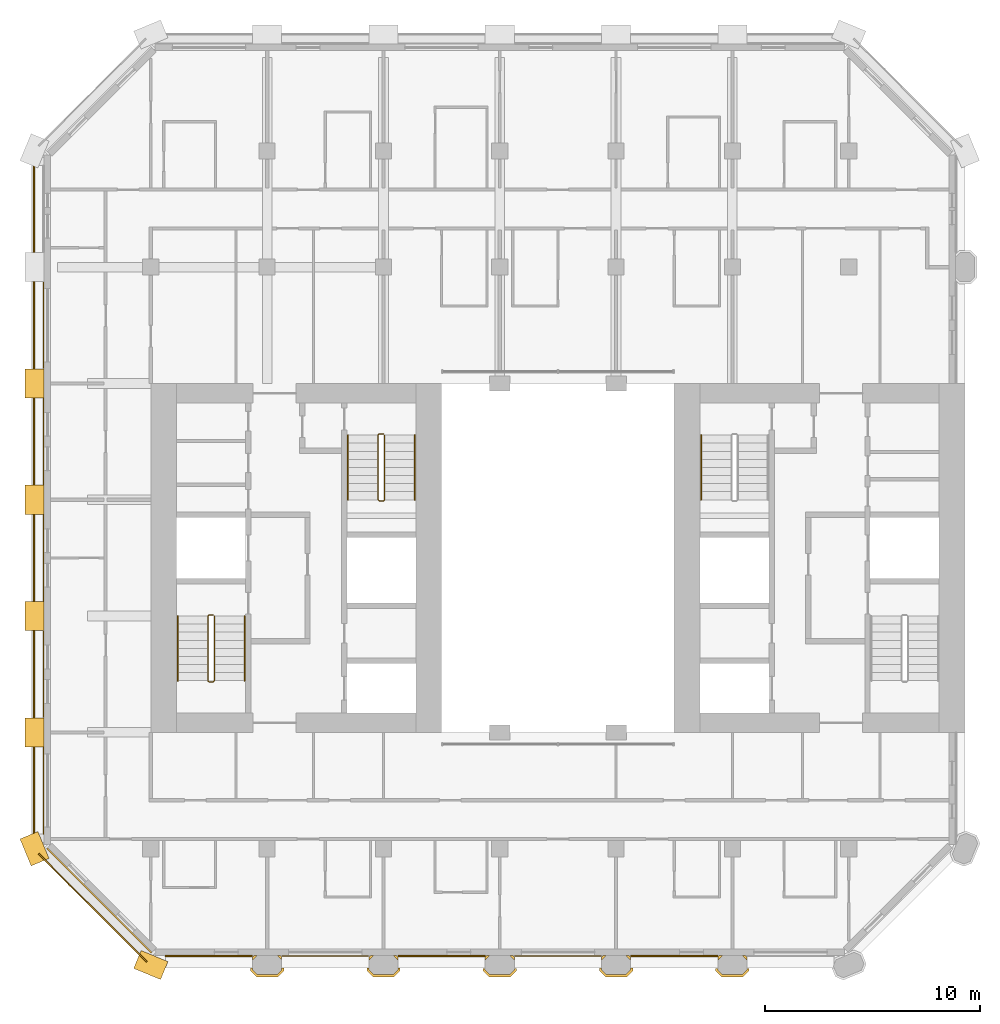
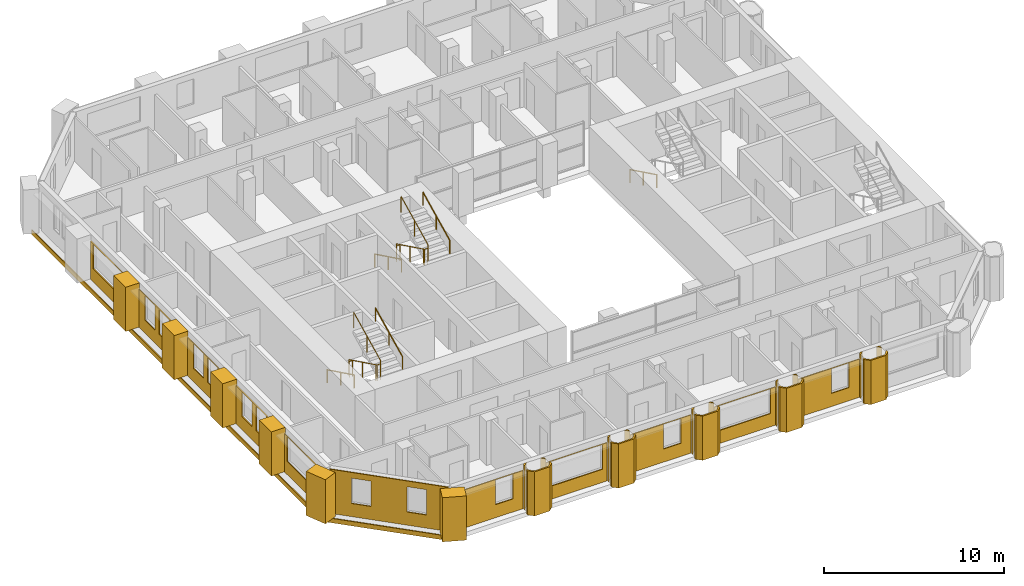
# One storey, part 13 of 14: 34 coverings, 7 railings.
"""IFC4 building model written with IfcOpenShell, lengths in metres."""

from ifc_helpers import new_model, si_unit, direction, frame, frame_2d, origin, origin_2d, place, context, subcontext, project, spatial, polyline, rectangle, circle, outline, extrude, material, layer, layer_set, type_object, element, save


model = new_model("IFC4")

# Units and contexts
model_context = context("Model", 3, precision=1e-05, world=origin(), true_north=direction((0.0, 1.0)))
body_context = subcontext(model_context, "Body", "Model", "MODEL_VIEW")
ifc_project = project(units=[si_unit("LENGTHUNIT", "METRE"), si_unit("AREAUNIT", "SQUARE_METRE"), si_unit("VOLUMEUNIT", "CUBIC_METRE"), si_unit("PLANEANGLEUNIT", "RADIAN"), si_unit("MASSUNIT", "GRAM", prefix="KILO")], contexts=[model_context])

# Site, building, storey
site_placement = place(None, origin())
site = spatial("IfcSite", under=ifc_project, at=site_placement, CompositionType="ELEMENT")
building_placement = place(site_placement, origin())
building = spatial("IfcBuilding", under=site, at=building_placement, Name="Tabaq Tower and Sports Hall", CompositionType="ELEMENT")
storey_placement = place(building_placement, frame((0.0, 0.0, 217.0)))
storey = spatial("IfcBuildingStorey", under=building, at=storey_placement, Name="L54", CompositionType="ELEMENT", Elevation=217.0)

# Coverings
ifc_material_1 = material(Name="Precast concrete C60/75", Category="concrete")
ifc_layer_1 = layer(ifc_material_1, 0.10009765625)
ifc_layer_set_1 = layer_set([ifc_layer_1], Name="Column cladding 100")
covering_type_1 = type_object("IfcCoveringType", Name="Column cladding 100", PredefinedType="CLADDING", material=ifc_layer_set_1)
covering_1_placement = place(storey_placement, origin())
element("IfcCovering", 1, at=covering_1_placement, inside=storey, type_object=covering_type_1, Name="Column cladding L54 PC-3B-H3", PredefinedType="CLADDING", context=body_context, shape_type="SweptSolid", body=[
    extrude(outline(polyline([(10.025390625, 5.249755859375), (10.124755859375, 5.249755859375), (10.124755859375, 5.1748046875), (10.349853515625, 4.94970703125), (11.250244140625, 4.94970703125), (11.475341796875, 5.1748046875), (11.475341796875, 5.249755859375), (11.57470703125, 5.249755859375), (11.57470703125, 5.1337890625), (11.291259765625, 4.850341796875), (10.30859375, 4.850341796875), (10.025390625, 5.1337890625), (10.025390625, 5.249755859375)])), origin(), (0.0, 0.0, 1.0), 3.0),
])
covering_2_placement = place(storey_placement, origin())
element("IfcCovering", 2, at=covering_2_placement, inside=storey, type_object=covering_type_1, Name="Column cladding L54 PC-3B-H3 2", PredefinedType="CLADDING", context=body_context, shape_type="SweptSolid", body=[
    extrude(outline(polyline([(10.208740234375, 5.849609375), (10.349365234375, 5.849609375), (10.125244140625, 5.625732421875), (10.125244140625, 5.766357421875), (10.208740234375, 5.849609375)])), origin(), (0.0, 0.0, 1.0), 3.0),
])
covering_3_placement = place(storey_placement, origin())
element("IfcCovering", 3, at=covering_3_placement, inside=storey, type_object=covering_type_1, Name="Column cladding L54 PC-3B-H3 3", PredefinedType="CLADDING", context=body_context, shape_type="SweptSolid", body=[
    extrude(outline(polyline([(11.474609375, 5.766357421875), (11.474609375, 5.625732421875), (11.250732421875, 5.849609375), (11.391357421875, 5.849609375), (11.474609375, 5.766357421875)])), origin(), (0.0, 0.0, 1.0), 3.0),
])
covering_4_placement = place(storey_placement, origin())
element("IfcCovering", 4, at=covering_4_placement, inside=storey, type_object=covering_type_1, Name="Column cladding L54 PC-4B-H3", PredefinedType="CLADDING", context=body_context, shape_type="SweptSolid", body=[
    extrude(outline(polyline([(15.42529296875, 5.249755859375), (15.524658203125, 5.249755859375), (15.524658203125, 5.1748046875), (15.749755859375, 4.94970703125), (16.650146484375, 4.94970703125), (16.875244140625, 5.1748046875), (16.875244140625, 5.249755859375), (16.974609375, 5.249755859375), (16.974609375, 5.1337890625), (16.69140625, 4.850341796875), (15.708740234375, 4.850341796875), (15.42529296875, 5.1337890625), (15.42529296875, 5.249755859375)])), origin(), (0.0, 0.0, 1.0), 3.0),
])
covering_5_placement = place(storey_placement, origin())
element("IfcCovering", 5, at=covering_5_placement, inside=storey, type_object=covering_type_1, Name="Column cladding L54 PC-4B-H3 2", PredefinedType="CLADDING", context=body_context, shape_type="SweptSolid", body=[
    extrude(outline(polyline([(16.874755859375, 5.766357421875), (16.874755859375, 5.625732421875), (16.650634765625, 5.849609375), (16.791259765625, 5.849609375), (16.874755859375, 5.766357421875)])), origin(), (0.0, 0.0, 1.0), 3.0),
])
covering_6_placement = place(storey_placement, origin())
element("IfcCovering", 6, at=covering_6_placement, inside=storey, type_object=covering_type_1, Name="Column cladding L54 PC-4B-H3 3", PredefinedType="CLADDING", context=body_context, shape_type="SweptSolid", body=[
    extrude(outline(polyline([(15.608642578125, 5.849609375), (15.749267578125, 5.849609375), (15.525390625, 5.625732421875), (15.525390625, 5.766357421875), (15.608642578125, 5.849609375)])), origin(), (0.0, 0.0, 1.0), 3.0),
])
covering_7_placement = place(storey_placement, origin())
element("IfcCovering", 7, at=covering_7_placement, inside=storey, type_object=covering_type_1, Name="Column cladding L54 PC-5B-H3", PredefinedType="CLADDING", context=body_context, shape_type="SweptSolid", body=[
    extrude(outline(polyline([(20.82568359375, 5.24951171875), (20.92431640625, 5.24951171875), (20.92431640625, 5.1748046875), (21.149658203125, 4.949462890625), (22.05029296875, 4.949462890625), (22.275634765625, 5.1748046875), (22.275634765625, 5.24951171875), (22.37451171875, 5.24951171875), (22.37451171875, 5.1337890625), (22.091064453125, 4.8505859375), (21.10888671875, 4.8505859375), (20.82568359375, 5.1337890625), (20.82568359375, 5.24951171875)])), origin(), (0.0, 0.0, 1.0), 3.0),
])
covering_8_placement = place(storey_placement, origin())
element("IfcCovering", 8, at=covering_8_placement, inside=storey, type_object=covering_type_1, Name="Column cladding L54 PC-5B-H3 2", PredefinedType="CLADDING", context=body_context, shape_type="SweptSolid", body=[
    extrude(outline(polyline([(22.274658203125, 5.766357421875), (22.274658203125, 5.625732421875), (22.05078125, 5.849609375), (22.19140625, 5.849609375), (22.274658203125, 5.766357421875)])), origin(), (0.0, 0.0, 1.0), 3.0),
])
covering_9_placement = place(storey_placement, origin())
element("IfcCovering", 9, at=covering_9_placement, inside=storey, type_object=covering_type_1, Name="Column cladding L54 PC-5B-H3 3", PredefinedType="CLADDING", context=body_context, shape_type="SweptSolid", body=[
    extrude(outline(polyline([(20.925537109375, 5.62646484375), (20.925537109375, 5.76611328125), (21.0087890625, 5.849365234375), (21.1484375, 5.849365234375), (20.925537109375, 5.62646484375)])), origin(), (0.0, 0.0, 1.0), 3.0),
])
covering_10_placement = place(storey_placement, origin())
element("IfcCovering", 10, at=covering_10_placement, inside=storey, type_object=covering_type_1, Name="Column cladding L54 PC-6B-H3", PredefinedType="CLADDING", context=body_context, shape_type="SweptSolid", body=[
    extrude(outline(polyline([(26.225341796875, 5.249755859375), (26.32470703125, 5.249755859375), (26.32470703125, 5.1748046875), (26.5498046875, 4.94970703125), (27.4501953125, 4.94970703125), (27.67529296875, 5.1748046875), (27.67529296875, 5.249755859375), (27.774658203125, 5.249755859375), (27.774658203125, 5.1337890625), (27.4912109375, 4.850341796875), (26.5087890625, 4.850341796875), (26.225341796875, 5.1337890625), (26.225341796875, 5.249755859375)])), origin(), (0.0, 0.0, 1.0), 3.0),
])
covering_11_placement = place(storey_placement, origin())
element("IfcCovering", 11, at=covering_11_placement, inside=storey, type_object=covering_type_1, Name="Column cladding L54 PC-6B-H3 2", PredefinedType="CLADDING", context=body_context, shape_type="SweptSolid", body=[
    extrude(outline(polyline([(26.40869140625, 5.849609375), (26.54931640625, 5.849609375), (26.3251953125, 5.625732421875), (26.3251953125, 5.766357421875), (26.40869140625, 5.849609375)])), origin(), (0.0, 0.0, 1.0), 3.0),
])
covering_12_placement = place(storey_placement, origin())
element("IfcCovering", 12, at=covering_12_placement, inside=storey, type_object=covering_type_1, Name="Column cladding L54 PC-6B-H3 3", PredefinedType="CLADDING", context=body_context, shape_type="SweptSolid", body=[
    extrude(outline(polyline([(27.6748046875, 5.766357421875), (27.6748046875, 5.625732421875), (27.45068359375, 5.849609375), (27.59130859375, 5.849609375), (27.6748046875, 5.766357421875)])), origin(), (0.0, 0.0, 1.0), 3.0),
])
covering_13_placement = place(storey_placement, origin())
element("IfcCovering", 13, at=covering_13_placement, inside=storey, type_object=covering_type_1, Name="Column cladding L54 PC-7B-H3", PredefinedType="CLADDING", context=body_context, shape_type="SweptSolid", body=[
    extrude(outline(polyline([(31.62548828125, 5.24951171875), (31.724365234375, 5.24951171875), (31.724365234375, 5.1748046875), (31.94970703125, 4.949462890625), (32.850341796875, 4.949462890625), (33.07568359375, 5.1748046875), (33.07568359375, 5.24951171875), (33.17431640625, 5.24951171875), (33.17431640625, 5.1337890625), (32.89111328125, 4.8505859375), (31.908935546875, 4.8505859375), (31.62548828125, 5.1337890625), (31.62548828125, 5.24951171875)])), origin(), (0.0, 0.0, 1.0), 3.0),
])
covering_14_placement = place(storey_placement, origin())
element("IfcCovering", 14, at=covering_14_placement, inside=storey, type_object=covering_type_1, Name="Column cladding L54 PC-7B-H3 2", PredefinedType="CLADDING", context=body_context, shape_type="SweptSolid", body=[
    extrude(outline(polyline([(31.80859375, 5.849609375), (31.94921875, 5.849609375), (31.725341796875, 5.625732421875), (31.725341796875, 5.766357421875), (31.80859375, 5.849609375)])), origin(), (0.0, 0.0, 1.0), 3.0),
])
covering_15_placement = place(storey_placement, origin())
element("IfcCovering", 15, at=covering_15_placement, inside=storey, type_object=covering_type_1, Name="Column cladding L54 PC-7B-H3 3", PredefinedType="CLADDING", context=body_context, shape_type="SweptSolid", body=[
    extrude(outline(polyline([(33.074462890625, 5.62646484375), (32.8515625, 5.849365234375), (32.9912109375, 5.849365234375), (33.074462890625, 5.76611328125), (33.074462890625, 5.62646484375)])), origin(), (0.0, 0.0, 1.0), 3.0),
])
ifc_material_2 = material(Name="Precast concrete C60/75", Category="concrete")
ifc_layer_2 = layer(ifc_material_2, 0.06005859375)
ifc_layer_set_2 = layer_set([ifc_layer_2], Name="Edge beam cladding 60")
covering_type_2 = type_object("IfcCoveringType", Name="Edge beam cladding 60", PredefinedType="CLADDING", material=ifc_layer_set_2)
covering_16_placement = place(storey_placement, frame((-0.030029296875, 42.9013671875, -0.300048828125), z_axis=(0.0, 0.0, 1.0), x_axis=(0.0, -1.0, 0.0)))
element("IfcCovering", 16, at=covering_16_placement, inside=storey, type_object=covering_type_2, Name="Edge beam cladding L54 4", PredefinedType="CLADDING", context=body_context, shape_type="SweptSolid", body=[
    extrude(rectangle(XDim=31.802734375, YDim=0.06005859375, at=frame_2d((15.9013671875, 0.0))), origin(), (0.0, 0.0, 1.0), 0.300048828125),
])
covering_17_placement = place(storey_placement, frame((0.18994140625, 10.567626953125, -0.300048828125), z_axis=(0.0, 0.0, 1.0), x_axis=(0.707106781187, -0.707106781187, 0.0)))
element("IfcCovering", 17, at=covering_17_placement, inside=storey, type_object=covering_type_2, Name="Edge beam cladding L54 5", PredefinedType="CLADDING", context=body_context, shape_type="SweptSolid", body=[
    extrude(rectangle(XDim=7.087890625, YDim=0.06005859375, at=frame_2d((3.5439453125, 0.0))), origin(), (0.0, 0.0, 1.0), 0.300048828125),
])
ifc_material_3 = material(Name="White precast concrete C60/75", Category="concrete")
covering_type_3 = type_object("IfcCoveringType", Name="Pier cladding hung 1350x900", PredefinedType="CLADDING", material=ifc_material_3)
for number, where, z_axis, x_axis, name in (
    (18, (-0.25830078125, 11.423583984375, 0.0), (0.0, 0.0, 1.0), (0.382649923473, -0.923893411637, 0.0), "Hung pier cladding 0/2"),
    (19, (0.0, 16.875, 0.0), (0.0, 0.0, 1.0), (0.0, -1.0, 0.0), "Hung pier cladding 0/3"),
):
    element("IfcCovering", number, at=place(storey_placement, frame(where, z_axis=z_axis, x_axis=x_axis)), inside=storey, type_object=covering_type_3, Name=name, PredefinedType="CLADDING", context=body_context, shape_type="SweptSolid", body=[
        extrude(rectangle(XDim=1.35009765625, YDim=0.89990234375, at=frame_2d((0.675048828125, 0.0))), origin(), (0.0, 0.0, 1.0), 3.0),
    ])
covering_18_placement = place(storey_placement, frame((0.0, 22.27490234375, 0.0), z_axis=(0.0, 0.0, 1.0), x_axis=(0.0, -1.0, 0.0)))
element("IfcCovering", 20, at=covering_18_placement, inside=storey, type_object=covering_type_3, Name="Hung pier cladding 0/4", PredefinedType="CLADDING", context=body_context, shape_type="SweptSolid", body=[
    extrude(rectangle(XDim=1.349853515625, YDim=0.89990234375, at=frame_2d((0.6748046875, 0.0))), origin(), (0.0, 0.0, 1.0), 3.0),
])
covering_19_placement = place(storey_placement, frame((0.0, 27.675048828125, 0.0), z_axis=(0.0, 0.0, 1.0), x_axis=(0.0, -1.0, 0.0)))
element("IfcCovering", 21, at=covering_19_placement, inside=storey, type_object=covering_type_3, Name="Hung pier cladding 0/5", PredefinedType="CLADDING", context=body_context, shape_type="SweptSolid", body=[
    extrude(rectangle(XDim=1.35009765625, YDim=0.89990234375, at=frame_2d((0.675048828125, 0.0))), origin(), (0.0, 0.0, 1.0), 3.0),
])
covering_20_placement = place(storey_placement, frame((0.0, 33.074951171875, 0.0), z_axis=(0.0, 0.0, 1.0), x_axis=(0.0, -1.0, 0.0)))
element("IfcCovering", 22, at=covering_20_placement, inside=storey, type_object=covering_type_3, Name="Hung pier cladding 0/6", PredefinedType="CLADDING", context=body_context, shape_type="SweptSolid", body=[
    extrude(rectangle(XDim=1.349853515625, YDim=0.89990234375, at=frame_2d((0.6748046875, 0.0))), origin(), (0.0, 0.0, 1.0), 3.0),
])
covering_21_placement = place(storey_placement, frame((4.7763671875, 5.658203125, 0.0), z_axis=(0.0, 0.0, 1.0), x_axis=(0.923893411637, -0.382649923473, 0.0)))
element("IfcCovering", 23, at=covering_21_placement, inside=storey, type_object=covering_type_3, Name="Hung pier cladding 1/1", PredefinedType="CLADDING", context=body_context, shape_type="SweptSolid", body=[
    extrude(rectangle(XDim=1.35009765625, YDim=0.89990234375, at=frame_2d((0.675048828125, 0.0))), origin(), (0.0, 0.0, 1.0), 3.0),
])

# Railings
ifc_material_4 = material(Name="Stainless steel", Category="steel")
railing_type_1 = type_object("IfcRailingType", Name="Stair guard", PredefinedType="GUARDRAIL", material=ifc_material_4)
railing_1_placement = place(storey_placement, frame((8.300048828125, 21.64990234375, 0.0)))
element("IfcRailing", 24, at=railing_1_placement, inside=storey, type_object=railing_type_1, Name="L54 ST1 stair guard 1", PredefinedType="GUARDRAIL", context=body_context, shape_type="SweptSolid", body=[
    extrude(circle(Radius=0.02392578125, at=origin_2d()), frame((0.0, 0.0, 1.076171875), z_axis=(-1.0, 0.0, 0.0), x_axis=(0.0, -1.0, 0.0)), (0.0, 0.0, 1.0), 0.199951171875),
    extrude(circle(Radius=0.02392578125, at=origin_2d()), frame((-0.199951171875, 0.0, 1.076171875), z_axis=(-0.254733673405, -0.25349107012, 0.933195066962), x_axis=(0.705375805398, -0.708833529934, 0.0)), (0.0, 0.0, 1.0), 0.196533203125),
    extrude(circle(Radius=0.02392578125, at=origin_2d()), frame((-0.25, -0.0498046875, 1.25927734375), z_axis=(0.0, -0.898397823093, 0.439182594671), x_axis=(1.0, 0.0, 0.0)), (0.0, 0.0, 1.0), 3.33935546875),
    extrude(circle(Radius=0.02392578125, at=origin_2d()), frame((-0.25, -3.0498046875, 2.72607421875), z_axis=(0.707106781187, -0.707106781187, 0.0), x_axis=(0.707106781187, 0.707106781187, 0.0)), (0.0, 0.0, 1.0), 0.07080078125),
    extrude(circle(Radius=0.02392578125, at=origin_2d()), frame((-0.199951171875, -3.099853515625, 2.72607421875), z_axis=(1.0, 0.0, 0.0), x_axis=(0.0, 1.0, 0.0)), (0.0, 0.0, 1.0), 0.199951171875),
    extrude(circle(Radius=0.02392578125, at=origin_2d()), frame((0.0, -3.099853515625, 2.72607421875), z_axis=(0.254653276557, 0.254653276557, 0.932900539971), x_axis=(-0.707106781187, 0.707106781187, 0.0)), (0.0, 0.0, 1.0), 0.196533203125),
    extrude(circle(Radius=0.02392578125, at=origin_2d()), frame((0.050048828125, -3.0498046875, 2.9091796875), z_axis=(0.0, 0.898368975038, 0.439241601728), x_axis=(-1.0, 0.0, 0.0)), (0.0, 0.0, 1.0), 3.33935546875),
    extrude(circle(Radius=0.02099609375, at=origin_2d()), origin(), (0.0, 0.0, 1.0), 1.052001953125),
    extrude(circle(Radius=0.02099609375, at=origin_2d()), frame((-0.199951171875, 0.0, 0.0)), (0.0, 0.0, 1.0), 1.052001953125),
    extrude(circle(Radius=0.02099609375, at=origin_2d()), frame((-0.25, -0.0498046875, 0.183349609375)), (0.0, 0.0, 1.0), 1.052001953125),
    extrude(circle(Radius=0.02099609375, at=origin_2d()), frame((-0.25, -1.5498046875, 0.91650390625)), (0.0, 0.0, 1.0), 1.052001953125),
    extrude(circle(Radius=0.02099609375, at=origin_2d()), frame((-0.25, -3.0498046875, 1.64990234375)), (0.0, 0.0, 1.0), 1.052001953125),
    extrude(circle(Radius=0.02099609375, at=origin_2d()), frame((-0.199951171875, -3.099853515625, 1.64990234375)), (0.0, 0.0, 1.0), 1.052001953125),
    extrude(circle(Radius=0.02099609375, at=origin_2d()), frame((0.0, -3.099853515625, 1.64990234375)), (0.0, 0.0, 1.0), 1.052001953125),
    extrude(circle(Radius=0.02099609375, at=origin_2d()), frame((0.050048828125, -3.0498046875, 1.833251953125)), (0.0, 0.0, 1.0), 1.052001953125),
    extrude(circle(Radius=0.02099609375, at=origin_2d()), frame((0.050048828125, -1.5498046875, 2.566650390625)), (0.0, 0.0, 1.0), 1.052001953125),
    extrude(circle(Radius=0.02099609375, at=origin_2d()), frame((0.050048828125, -0.0498046875, 3.300048828125)), (0.0, 0.0, 1.0), 1.052001953125),
])
railing_2_placement = place(storey_placement, frame((16.199951171875, 30.050048828125, 0.0)))
element("IfcRailing", 25, at=railing_2_placement, inside=storey, type_object=railing_type_1, Name="L54 ST2 stair guard 1", PredefinedType="GUARDRAIL", context=body_context, shape_type="SweptSolid", body=[
    extrude(circle(Radius=0.02392578125, at=origin_2d()), frame((0.0, 0.0, 1.076171875), z_axis=(-1.0, 0.0, 0.0), x_axis=(0.0, -1.0, 0.0)), (0.0, 0.0, 1.0), 0.199951171875),
    extrude(circle(Radius=0.02392578125, at=origin_2d()), frame((-0.199951171875, 0.0, 1.076171875), z_axis=(-0.254653276557, -0.254653276557, 0.932900539971), x_axis=(0.707106781187, -0.707106781187, 0.0)), (0.0, 0.0, 1.0), 0.196533203125),
    extrude(circle(Radius=0.02392578125, at=origin_2d()), frame((-0.25, -0.050048828125, 1.25927734375), z_axis=(0.0, -0.898397823093, 0.439182594671), x_axis=(1.0, 0.0, 0.0)), (0.0, 0.0, 1.0), 3.33935546875),
    extrude(circle(Radius=0.02392578125, at=origin_2d()), frame((-0.25, -3.050048828125, 2.72607421875), z_axis=(0.707106781187, -0.707106781187, 0.0), x_axis=(0.707106781187, 0.707106781187, 0.0)), (0.0, 0.0, 1.0), 0.07080078125),
    extrude(circle(Radius=0.02392578125, at=origin_2d()), frame((-0.199951171875, -3.10009765625, 2.72607421875), z_axis=(1.0, 0.0, 0.0), x_axis=(0.0, 1.0, 0.0)), (0.0, 0.0, 1.0), 0.199951171875),
    extrude(circle(Radius=0.02392578125, at=origin_2d()), frame((0.0, -3.10009765625, 2.72607421875), z_axis=(0.254653276557, 0.254653276557, 0.932900539971), x_axis=(-0.707106781187, 0.707106781187, 0.0)), (0.0, 0.0, 1.0), 0.196533203125),
    extrude(circle(Radius=0.02392578125, at=origin_2d()), frame((0.050048828125, -3.050048828125, 2.9091796875), z_axis=(0.0, 0.898368975038, 0.439241601728), x_axis=(-1.0, 0.0, 0.0)), (0.0, 0.0, 1.0), 3.33935546875),
    extrude(circle(Radius=0.02099609375, at=origin_2d()), origin(), (0.0, 0.0, 1.0), 1.052001953125),
    extrude(circle(Radius=0.02099609375, at=origin_2d()), frame((-0.199951171875, 0.0, 0.0)), (0.0, 0.0, 1.0), 1.052001953125),
    extrude(circle(Radius=0.02099609375, at=origin_2d()), frame((-0.25, -0.050048828125, 0.183349609375)), (0.0, 0.0, 1.0), 1.052001953125),
    extrude(circle(Radius=0.02099609375, at=origin_2d()), frame((-0.25, -1.550048828125, 0.91650390625)), (0.0, 0.0, 1.0), 1.052001953125),
    extrude(circle(Radius=0.02099609375, at=origin_2d()), frame((-0.25, -3.050048828125, 1.64990234375)), (0.0, 0.0, 1.0), 1.052001953125),
    extrude(circle(Radius=0.02099609375, at=origin_2d()), frame((-0.199951171875, -3.10009765625, 1.64990234375)), (0.0, 0.0, 1.0), 1.052001953125),
    extrude(circle(Radius=0.02099609375, at=origin_2d()), frame((0.0, -3.10009765625, 1.64990234375)), (0.0, 0.0, 1.0), 1.052001953125),
    extrude(circle(Radius=0.02099609375, at=origin_2d()), frame((0.050048828125, -3.050048828125, 1.833251953125)), (0.0, 0.0, 1.0), 1.052001953125),
    extrude(circle(Radius=0.02099609375, at=origin_2d()), frame((0.050048828125, -1.550048828125, 2.566650390625)), (0.0, 0.0, 1.0), 1.052001953125),
    extrude(circle(Radius=0.02099609375, at=origin_2d()), frame((0.050048828125, -0.050048828125, 3.300048828125)), (0.0, 0.0, 1.0), 1.052001953125),
])
ifc_material_5 = material(Name="Stainless steel", Category="steel")
railing_type_2 = type_object("IfcRailingType", Name="Stair handrail", PredefinedType="HANDRAIL", material=ifc_material_5)
railing_3_placement = place(storey_placement, frame((6.64990234375, 21.60009765625, 0.183349609375)))
element("IfcRailing", 26, at=railing_3_placement, inside=storey, type_object=railing_type_2, Name="L54 ST1 stair handrail 1", PredefinedType="HANDRAIL", context=body_context, shape_type="SweptSolid", body=[
    extrude(circle(Radius=0.02392578125, at=origin_2d()), frame((0.0, 0.0, 0.8759765625), z_axis=(0.0, -0.898397823093, 0.439182594671), x_axis=(1.0, 0.0, 0.0)), (0.0, 0.0, 1.0), 3.33935546875),
    extrude(circle(Radius=0.02099609375, at=origin_2d()), origin(), (0.0, 0.0, 1.0), 0.851806640625),
    extrude(circle(Radius=0.02099609375, at=origin_2d()), frame((0.0, -1.5, 0.7333984375)), (0.0, 0.0, 1.0), 0.851806640625),
    extrude(circle(Radius=0.02099609375, at=origin_2d()), frame((0.0, -3.0, 1.466552734375)), (0.0, 0.0, 1.0), 0.851806640625),
])
railing_4_placement = place(storey_placement, frame((9.75, 18.60009765625, 1.833251953125)))
element("IfcRailing", 27, at=railing_4_placement, inside=storey, type_object=railing_type_2, Name="L54 ST1 stair handrail 2", PredefinedType="HANDRAIL", context=body_context, shape_type="SweptSolid", body=[
    extrude(circle(Radius=0.02392578125, at=origin_2d()), frame((0.0, 0.0, 0.8759765625), z_axis=(0.0, 0.898368975038, 0.439241601728), x_axis=(-1.0, 0.0, 0.0)), (0.0, 0.0, 1.0), 3.33935546875),
    extrude(circle(Radius=0.02099609375, at=origin_2d()), origin(), (0.0, 0.0, 1.0), 0.851806640625),
    extrude(circle(Radius=0.02099609375, at=origin_2d()), frame((0.0, 1.5, 0.7333984375)), (0.0, 0.0, 1.0), 0.851806640625),
    extrude(circle(Radius=0.02099609375, at=origin_2d()), frame((0.0, 3.0, 1.466796875)), (0.0, 0.0, 1.0), 0.851806640625),
])
railing_5_placement = place(storey_placement, frame((14.550048828125, 30.0, 0.183349609375)))
element("IfcRailing", 28, at=railing_5_placement, inside=storey, type_object=railing_type_2, Name="L54 ST2 stair handrail 1", PredefinedType="HANDRAIL", context=body_context, shape_type="SweptSolid", body=[
    extrude(circle(Radius=0.02392578125, at=origin_2d()), frame((0.0, 0.0, 0.8759765625), z_axis=(0.0, -0.898397823093, 0.439182594671), x_axis=(1.0, 0.0, 0.0)), (0.0, 0.0, 1.0), 3.33935546875),
    extrude(circle(Radius=0.02099609375, at=origin_2d()), origin(), (0.0, 0.0, 1.0), 0.851806640625),
    extrude(circle(Radius=0.02099609375, at=origin_2d()), frame((0.0, -1.5, 0.7333984375)), (0.0, 0.0, 1.0), 0.851806640625),
    extrude(circle(Radius=0.02099609375, at=origin_2d()), frame((0.0, -3.0, 1.466552734375)), (0.0, 0.0, 1.0), 0.851806640625),
])
railing_6_placement = place(storey_placement, frame((17.64990234375, 27.0, 1.833251953125)))
element("IfcRailing", 29, at=railing_6_placement, inside=storey, type_object=railing_type_2, Name="L54 ST2 stair handrail 2", PredefinedType="HANDRAIL", context=body_context, shape_type="SweptSolid", body=[
    extrude(circle(Radius=0.02392578125, at=origin_2d()), frame((0.0, 0.0, 0.8759765625), z_axis=(0.0, 0.898368975038, 0.439241601728), x_axis=(-1.0, 0.0, 0.0)), (0.0, 0.0, 1.0), 3.33935546875),
    extrude(circle(Radius=0.02099609375, at=origin_2d()), origin(), (0.0, 0.0, 1.0), 0.851806640625),
    extrude(circle(Radius=0.02099609375, at=origin_2d()), frame((0.0, 1.5, 0.7333984375)), (0.0, 0.0, 1.0), 0.851806640625),
    extrude(circle(Radius=0.02099609375, at=origin_2d()), frame((0.0, 3.0, 1.466796875)), (0.0, 0.0, 1.0), 0.851806640625),
])
railing_7_placement = place(storey_placement, frame((30.949951171875, 30.0, 0.183349609375)))
element("IfcRailing", 30, at=railing_7_placement, inside=storey, type_object=railing_type_2, Name="L54 ST4 stair handrail 1", PredefinedType="HANDRAIL", context=body_context, shape_type="SweptSolid", body=[
    extrude(circle(Radius=0.02392578125, at=origin_2d()), frame((0.0, 0.0, 0.8759765625), z_axis=(0.0, -0.898397823093, 0.439182594671), x_axis=(1.0, 0.0, 0.0)), (0.0, 0.0, 1.0), 3.33935546875),
    extrude(circle(Radius=0.02099609375, at=origin_2d()), origin(), (0.0, 0.0, 1.0), 0.851806640625),
    extrude(circle(Radius=0.02099609375, at=origin_2d()), frame((0.0, -1.5, 0.7333984375)), (0.0, 0.0, 1.0), 0.851806640625),
    extrude(circle(Radius=0.02099609375, at=origin_2d()), frame((0.0, -3.0, 1.466552734375)), (0.0, 0.0, 1.0), 0.851806640625),
])

# Coverings
ifc_material_6 = material(Name="Precast concrete C60/75", Category="concrete")
ifc_layer_3 = layer(ifc_material_6, 0.06005859375)
ifc_layer_set_3 = layer_set([ifc_layer_3], Name="White precast cladding panel 60 C60/75")
covering_type_4 = type_object("IfcCoveringType", Name="White precast cladding panel 60 C60/75", PredefinedType="CLADDING", material=ifc_layer_set_3)
covering_22_placement = place(storey_placement, frame((6.06494140625, 5.820068359375, 0.0), z_axis=(0.0, 0.0, 1.0), x_axis=(1.0, 0.0, 0.0)))
element("IfcCovering", 31, at=covering_22_placement, inside=storey, type_object=covering_type_4, Name="White precast cladding panel L54 wall00", PredefinedType="CLADDING", context=body_context, shape_type="SweptSolid", body=[
    extrude(outline(polyline([(0.0, 0.0), (4.050048828125, 0.0), (4.050048828125, 2.590087890625), (0.0, 2.590087890625), (0.0, 0.0)]), holes=[polyline([(3.39501953125, 0.889892578125), (2.27490234375, 0.889892578125), (2.27490234375, 2.56005859375), (3.39501953125, 2.56005859375), (3.39501953125, 0.889892578125)])]), frame((0.0, 0.030029296875, 0.0), z_axis=(0.0, -1.0, 0.0), x_axis=(1.0, 0.0, 0.0)), (0.0, 0.0, 1.0), 0.06005859375),
])
covering_23_placement = place(storey_placement, frame((11.485107421875, 5.820068359375, 0.0), z_axis=(0.0, 0.0, 1.0), x_axis=(1.0, 0.0, 0.0)))
element("IfcCovering", 32, at=covering_23_placement, inside=storey, type_object=covering_type_4, Name="White precast cladding panel L54 wall00 2", PredefinedType="CLADDING", context=body_context, shape_type="SweptSolid", body=[
    extrude(outline(polyline([(0.0, 0.0), (4.02978515625, 0.0), (4.02978515625, 2.590087890625), (0.0, 2.590087890625), (0.0, 0.0)]), holes=[polyline([(3.72509765625, 0.889892578125), (0.304931640625, 0.889892578125), (0.304931640625, 2.56005859375), (3.72509765625, 2.56005859375), (3.72509765625, 0.889892578125)])]), frame((0.0, 0.030029296875, 0.0), z_axis=(0.0, -1.0, 0.0), x_axis=(1.0, 0.0, 0.0)), (0.0, 0.0, 1.0), 0.06005859375),
])
covering_24_placement = place(storey_placement, frame((16.885009765625, 5.820068359375, 0.0), z_axis=(0.0, 0.0, 1.0), x_axis=(1.0, 0.0, 0.0)))
element("IfcCovering", 33, at=covering_24_placement, inside=storey, type_object=covering_type_4, Name="White precast cladding panel L54 wall00 3", PredefinedType="CLADDING", context=body_context, shape_type="SweptSolid", body=[
    extrude(outline(polyline([(0.0, 0.0), (4.030029296875, 0.0), (4.030029296875, 2.590087890625), (0.0, 2.590087890625), (0.0, 0.0)]), holes=[polyline([(3.375, 0.889892578125), (2.2548828125, 0.889892578125), (2.2548828125, 2.56005859375), (3.375, 2.56005859375), (3.375, 0.889892578125)])]), frame((0.0, 0.030029296875, 0.0), z_axis=(0.0, -1.0, 0.0), x_axis=(1.0, 0.0, 0.0)), (0.0, 0.0, 1.0), 0.06005859375),
])
covering_25_placement = place(storey_placement, frame((22.284912109375, 5.820068359375, 0.0), z_axis=(0.0, 0.0, 1.0), x_axis=(1.0, 0.0, 0.0)))
element("IfcCovering", 34, at=covering_25_placement, inside=storey, type_object=covering_type_4, Name="White precast cladding panel L54 wall00 4", PredefinedType="CLADDING", context=body_context, shape_type="SweptSolid", body=[
    extrude(outline(polyline([(0.0, 0.0), (4.030029296875, 0.0), (4.030029296875, 2.590087890625), (0.0, 2.590087890625), (0.0, 0.0)]), holes=[polyline([(3.72509765625, 0.889892578125), (0.304931640625, 0.889892578125), (0.304931640625, 2.56005859375), (3.72509765625, 2.56005859375), (3.72509765625, 0.889892578125)])]), frame((0.0, 0.030029296875, 0.0), z_axis=(0.0, -1.0, 0.0), x_axis=(1.0, 0.0, 0.0)), (0.0, 0.0, 1.0), 0.06005859375),
])
covering_26_placement = place(storey_placement, frame((27.68505859375, 5.820068359375, 0.0), z_axis=(0.0, 0.0, 1.0), x_axis=(1.0, 0.0, 0.0)))
element("IfcCovering", 35, at=covering_26_placement, inside=storey, type_object=covering_type_4, Name="White precast cladding panel L54 wall00 5", PredefinedType="CLADDING", context=body_context, shape_type="SweptSolid", body=[
    extrude(outline(polyline([(0.0, 0.0), (4.030029296875, 0.0), (4.030029296875, 2.590087890625), (0.0, 2.590087890625), (0.0, 0.0)]), holes=[polyline([(3.375, 0.889892578125), (2.2548828125, 0.889892578125), (2.2548828125, 2.56005859375), (3.375, 2.56005859375), (3.375, 0.889892578125)])]), frame((0.0, 0.030029296875, 0.0), z_axis=(0.0, -1.0, 0.0), x_axis=(1.0, 0.0, 0.0)), (0.0, 0.0, 1.0), 0.06005859375),
])
covering_27_placement = place(storey_placement, frame((0.419921875, 37.114990234375, 0.0), z_axis=(0.0, 0.0, 1.0), x_axis=(0.0, -1.0, 0.0)))
element("IfcCovering", 36, at=covering_27_placement, inside=storey, type_object=covering_type_4, Name="White precast cladding panel L54 wall06 2", PredefinedType="CLADDING", context=body_context, shape_type="SweptSolid", body=[
    extrude(outline(polyline([(0.0, 0.0), (4.030029296875, 0.0), (4.030029296875, 2.590087890625), (0.0, 2.590087890625), (0.0, 0.0)]), holes=[polyline([(3.72509765625, 0.889892578125), (0.304931640625, 0.889892578125), (0.304931640625, 2.56005859375), (3.72509765625, 2.56005859375), (3.72509765625, 0.889892578125)])]), frame((0.0, 0.030029296875, 0.0), z_axis=(0.0, -1.0, 0.0), x_axis=(1.0, 0.0, 0.0)), (0.0, 0.0, 1.0), 0.06005859375),
])
for number, where, z_axis, x_axis, name in (
    (37, (0.419921875, 31.715087890625, 0.0), (0.0, 0.0, 1.0), (0.0, -1.0, 0.0), "White precast cladding panel L54 wall06 3"),
    (38, (0.419921875, 26.31494140625, 0.0), (0.0, 0.0, 1.0), (0.0, -1.0, 0.0), "White precast cladding panel L54 wall06 4"),
    (39, (0.419921875, 20.9150390625, 0.0), (0.0, 0.0, 1.0), (0.0, -1.0, 0.0), "White precast cladding panel L54 wall06 5"),
):
    element("IfcCovering", number, at=place(storey_placement, frame(where, z_axis=z_axis, x_axis=x_axis)), inside=storey, type_object=covering_type_4, Name=name, PredefinedType="CLADDING", context=body_context, shape_type="SweptSolid", body=[
        extrude(outline(polyline([(0.0, 0.0), (4.030029296875, 0.0), (4.030029296875, 2.590087890625), (0.0, 2.590087890625), (0.0, 0.0)]), holes=[polyline([(0.655029296875, 0.889892578125), (0.655029296875, 2.56005859375), (1.77490234375, 2.56005859375), (1.77490234375, 0.889892578125), (0.655029296875, 0.889892578125)]), polyline([(2.2548828125, 0.889892578125), (2.2548828125, 2.56005859375), (3.375, 2.56005859375), (3.375, 0.889892578125), (2.2548828125, 0.889892578125)])]), frame((0.0, 0.030029296875, 0.0), z_axis=(0.0, -1.0, 0.0), x_axis=(1.0, 0.0, 0.0)), (0.0, 0.0, 1.0), 0.06005859375),
    ])
covering_28_placement = place(storey_placement, frame((0.419921875, 15.514892578125, 0.0), z_axis=(0.0, 0.0, 1.0), x_axis=(0.0, -1.0, 0.0)))
element("IfcCovering", 40, at=covering_28_placement, inside=storey, type_object=covering_type_4, Name="White precast cladding panel L54 wall06 6", PredefinedType="CLADDING", context=body_context, shape_type="SweptSolid", body=[
    extrude(outline(polyline([(0.0, 0.0), (4.0498046875, 0.0), (4.0498046875, 2.590087890625), (0.0, 2.590087890625), (0.0, 0.0)]), holes=[polyline([(3.72509765625, 0.889892578125), (0.304931640625, 0.889892578125), (0.304931640625, 2.56005859375), (3.72509765625, 2.56005859375), (3.72509765625, 0.889892578125)])]), frame((0.0, 0.030029296875, 0.0), z_axis=(0.0, -1.0, 0.0), x_axis=(1.0, 0.0, 0.0)), (0.0, 0.0, 1.0), 0.06005859375),
])
covering_29_placement = place(storey_placement, frame((0.57177734375, 10.822265625, 0.0), z_axis=(0.0, 0.0, 1.0), x_axis=(0.707106781187, -0.707106781187, 0.0)))
element("IfcCovering", 41, at=covering_29_placement, inside=storey, type_object=covering_type_4, Name="White precast cladding panel L54 wall07", PredefinedType="CLADDING", context=body_context, shape_type="SweptSolid", body=[
    extrude(outline(polyline([(0.0, 0.0), (6.85986328125, 0.0), (6.85986328125, 3.0), (0.0, 3.0), (0.0, 0.0)]), holes=[polyline([(1.269775390625, 2.610107421875), (2.389892578125, 2.610107421875), (2.389892578125, 0.889892578125), (1.269775390625, 0.889892578125), (1.269775390625, 2.610107421875)]), polyline([(4.4697265625, 2.610107421875), (5.58984375, 2.610107421875), (5.58984375, 0.889892578125), (4.4697265625, 0.889892578125), (4.4697265625, 2.610107421875)])]), frame((0.0, 0.030029296875, 0.0), z_axis=(0.0, -1.0, 0.0), x_axis=(1.0, 0.0, 0.0)), (0.0, 0.0, 1.0), 0.06005859375),
])

save(model, "model.ifc")
